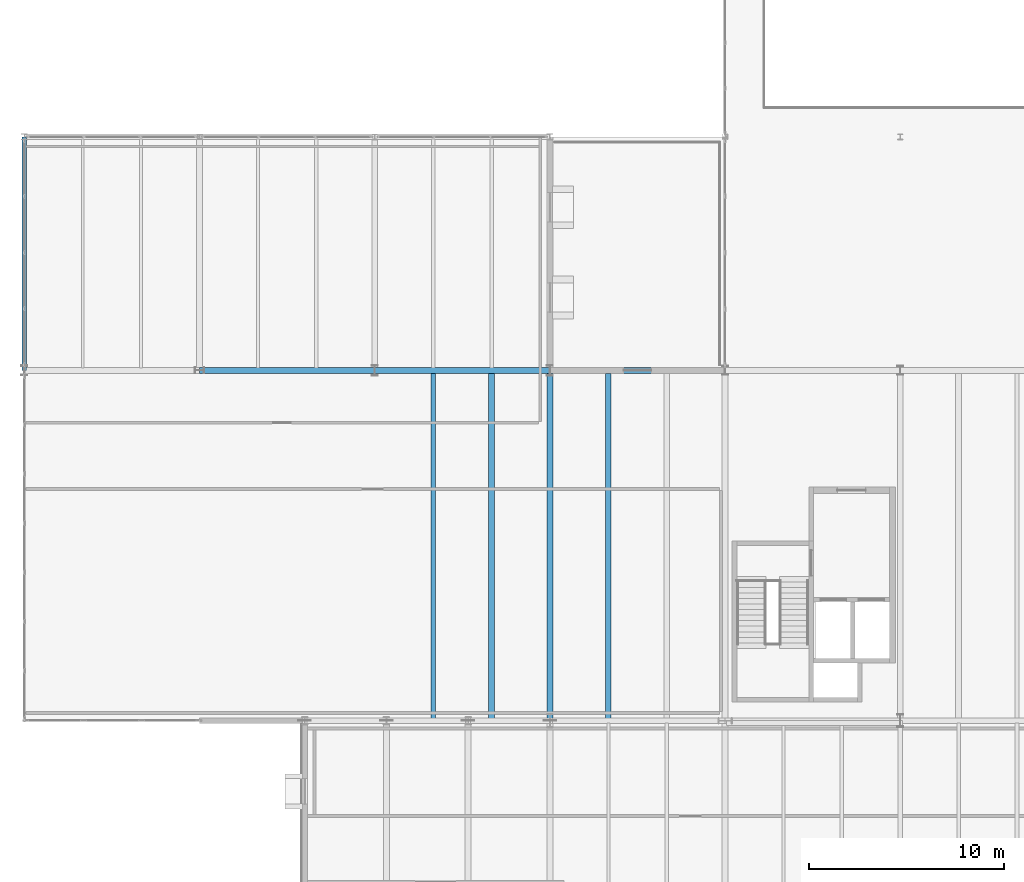
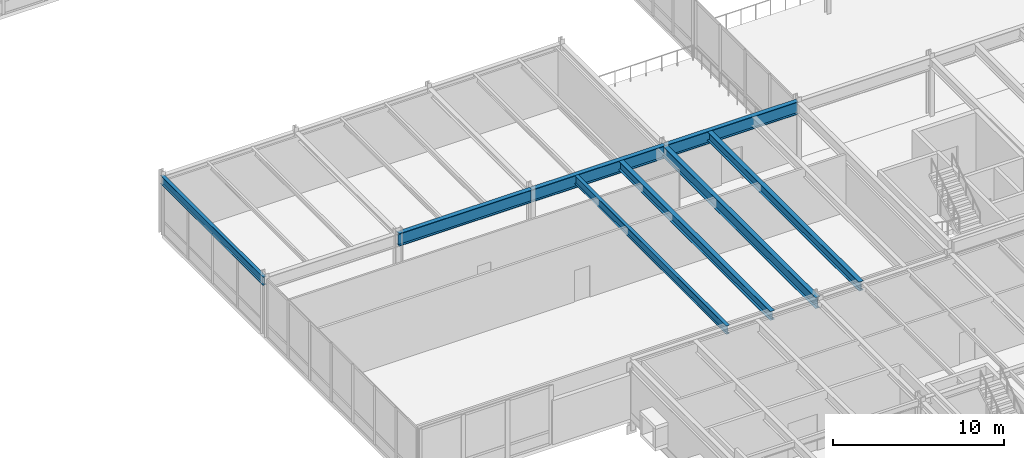
# One storey, part 21 of 115: 8 beams.
"""IFC4 building model written with IfcOpenShell, lengths in metres."""

from ifc_helpers import new_model, si_unit, direction, frame, origin, origin_2d, place, context, subcontext, project, spatial, i_section, extrude, material, material_profile, profile_set, type_object, element, save


model = new_model("IFC4")

# Units and contexts
model_context = context("Model", 3, precision=1e-05, world=origin(), true_north=direction((0.0, 1.0)))
body_context = subcontext(model_context, "Body", "Model", "MODEL_VIEW")
ifc_project = project(units=[si_unit("LENGTHUNIT", "METRE"), si_unit("AREAUNIT", "SQUARE_METRE"), si_unit("VOLUMEUNIT", "CUBIC_METRE"), si_unit("PLANEANGLEUNIT", "RADIAN"), si_unit("MASSUNIT", "GRAM", prefix="KILO")], contexts=[model_context])

# Site, building, storey
site_placement = place(None, origin())
site = spatial("IfcSite", under=ifc_project, at=site_placement, CompositionType="ELEMENT")
building_placement = place(site_placement, origin())
building = spatial("IfcBuilding", under=site, at=building_placement, Name="Montelvaro Courts of Justice", CompositionType="ELEMENT")
storey_placement = place(building_placement, frame((0.0, 0.0, 9.89990234375)))
storey = spatial("IfcBuildingStorey", under=building, at=storey_placement, Name="L02", CompositionType="ELEMENT", Elevation=9.89990234375)

# Beams
ifc_material = material(Name="Steel S355", Category="steel")
ifc_material_profile_1 = material_profile(ifc_material, i_section(OverallWidth=0.300048828125, OverallDepth=0.7900390625, WebThickness=0.014892578125, FlangeThickness=0.028076171875, at=origin_2d()), Name="HEA 800")
ifc_profile_set_1 = profile_set([ifc_material_profile_1], Name="Steel S355")
beam_type_1 = type_object("IfcBeamType", Name="Beam_HEA800", PredefinedType="USERDEFINED", material=ifc_profile_set_1)
beam_1_placement = place(storey_placement, frame((45.0, 24.0, 3.76513671875), z_axis=(0.0, 1.0, 0.0), x_axis=(-1.0, 0.0, 0.0)))
element("IfcBeam", 1, at=beam_1_placement, inside=storey, type_object=beam_type_1, Name="Beam B-24 L02", ObjectType="GIRDER", PredefinedType="USERDEFINED", context=body_context, shape_type="SweptSolid", body=[
    extrude(i_section(OverallWidth=0.300048828125, OverallDepth=0.7900390625, WebThickness=0.014892578125, FlangeThickness=0.028076171875, at=origin_2d()), origin(), (0.0, 0.0, 1.0), 18.0),
])
ifc_material_profile_2 = material_profile(ifc_material, i_section(OverallWidth=0.300048828125, OverallDepth=0.64990234375, WebThickness=0.01611328125, FlangeThickness=0.031005859375, at=origin_2d()), Name="HEB 650")
ifc_profile_set_2 = profile_set([ifc_material_profile_2], Name="Steel S355")
beam_type_2 = type_object("IfcBeamType", Name="Beam_HEB650", PredefinedType="USERDEFINED", material=ifc_profile_set_2)
for number, where, z_axis, x_axis, name in (
    (2, (42.0, 24.110107421875, 3.835205078125), (0.0, 1.0, 0.0), (-1.0, 0.0, 0.0), "Beam B-27 L02"),
    (3, (48.0, 24.110107421875, 3.835205078125), (0.0, 1.0, 0.0), (-1.0, 0.0, 0.0), "Beam B-27 L02"),
):
    element("IfcBeam", number, at=place(storey_placement, frame(where, z_axis=z_axis, x_axis=x_axis)), inside=storey, type_object=beam_type_2, Name=name, ObjectType="GIRDER", PredefinedType="USERDEFINED", context=body_context, shape_type="SweptSolid", body=[
        extrude(i_section(OverallWidth=0.300048828125, OverallDepth=0.64990234375, WebThickness=0.01611328125, FlangeThickness=0.031005859375, at=origin_2d()), origin(), (0.0, 0.0, 1.0), 17.77978515625),
    ])
ifc_material_profile_3 = material_profile(ifc_material, i_section(OverallWidth=0.300048828125, OverallDepth=0.89990234375, WebThickness=0.0185546875, FlangeThickness=0.034912109375, at=origin_2d()), Name="HEB 900")
ifc_profile_set_3 = profile_set([ifc_material_profile_3], Name="Steel S355")
beam_type_3 = type_object("IfcBeamType", Name="Beam_HEB900", PredefinedType="USERDEFINED", material=ifc_profile_set_3)
for number, where, z_axis, x_axis, name in (
    (4, (27.0, 42.0, 3.710205078125), (1.0, 0.0, 0.0), (0.0, 1.0, 0.0), "Beam B-30 L02"),
    (5, (36.0, 42.0, 3.710205078125), (1.0, 0.0, 0.0), (0.0, 1.0, 0.0), "Beam B-30 L02"),
    (6, (45.0, 42.0, 3.710205078125), (1.0, 0.0, 0.0), (0.0, 1.0, 0.0), "Beam B-30 L02"),
):
    element("IfcBeam", number, at=place(storey_placement, frame(where, z_axis=z_axis, x_axis=x_axis)), inside=storey, type_object=beam_type_3, Name=name, ObjectType="GIRDER", PredefinedType="USERDEFINED", context=body_context, shape_type="SweptSolid", body=[
        extrude(i_section(OverallWidth=0.300048828125, OverallDepth=0.89990234375, WebThickness=0.0185546875, FlangeThickness=0.034912109375, at=origin_2d()), origin(), (0.0, 0.0, 1.0), 9.0),
    ])
ifc_material_profile_4 = material_profile(ifc_material, i_section(OverallWidth=0.219970703125, OverallDepth=0.60009765625, WebThickness=0.011962890625, FlangeThickness=0.01904296875, at=origin_2d()), Name="IPE 600")
ifc_profile_set_4 = profile_set([ifc_material_profile_4], Name="Steel S355")
beam_type_4 = type_object("IfcBeamType", Name="Beam_IPE600", PredefinedType="USERDEFINED", material=ifc_profile_set_4)
beam_2_placement = place(storey_placement, frame((18.0, 42.0, 3.860107421875), z_axis=(0.0, 1.0, 0.0), x_axis=(-1.0, 0.0, 0.0)))
element("IfcBeam", 7, at=beam_2_placement, inside=storey, type_object=beam_type_4, Name="Beam B-12 L02", ObjectType="GIRDER", PredefinedType="USERDEFINED", context=body_context, shape_type="SweptSolid", body=[
    extrude(i_section(OverallWidth=0.219970703125, OverallDepth=0.60009765625, WebThickness=0.011962890625, FlangeThickness=0.01904296875, at=origin_2d()), origin(), (0.0, 0.0, 1.0), 12.0),
])
beam_3_placement = place(storey_placement, frame((39.0, 24.110107421875, 3.860107421875), z_axis=(0.0, 1.0, 0.0), x_axis=(-1.0, 0.0, 0.0)))
element("IfcBeam", 8, at=beam_3_placement, inside=storey, type_object=beam_type_4, Name="Beam B-12 L02", ObjectType="GIRDER", PredefinedType="USERDEFINED", context=body_context, shape_type="SweptSolid", body=[
    extrude(i_section(OverallWidth=0.219970703125, OverallDepth=0.60009765625, WebThickness=0.011962890625, FlangeThickness=0.01904296875, at=origin_2d()), origin(), (0.0, 0.0, 1.0), 17.77978515625),
])

save(model, "model.ifc")
